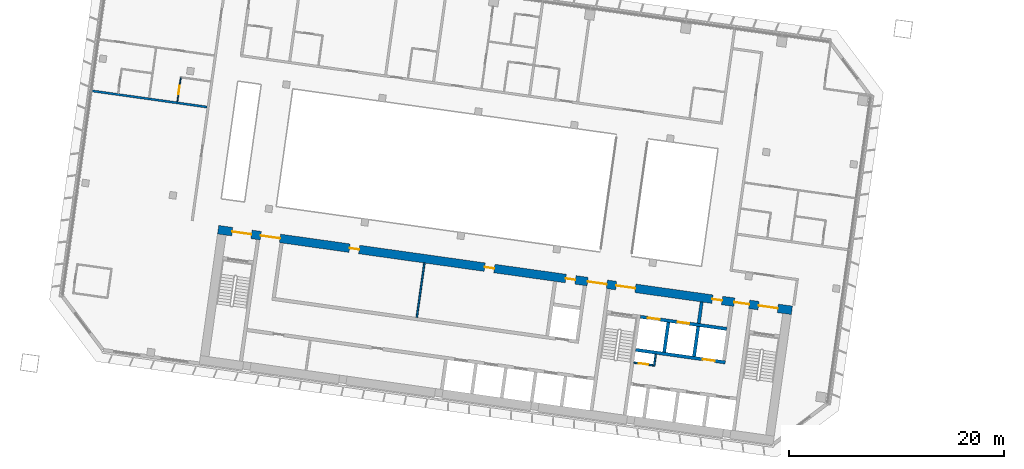
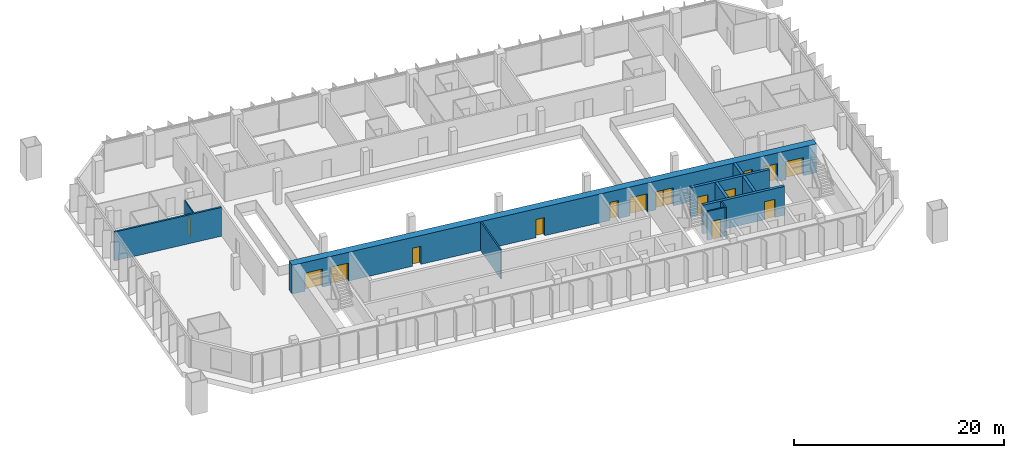
# One storey, part 15 of 25: 15 doors, 11 walls, 15 openings.
"""IFC4 building model written with IfcOpenShell, lengths in metres."""

from ifc_helpers import new_model, si_unit, direction, frame, frame_2d, origin, place, context, subcontext, project, spatial, rectangle, extrude, material, layer, layer_set, type_object, element, fill, save


model = new_model("IFC4")

# Units and contexts
model_context = context("Model", 3, precision=1e-05, world=origin(), true_north=direction((0.0, 1.0)))
body_context = subcontext(model_context, "Body", "Model", "MODEL_VIEW")
ifc_project = project(units=[si_unit("LENGTHUNIT", "METRE"), si_unit("AREAUNIT", "SQUARE_METRE"), si_unit("VOLUMEUNIT", "CUBIC_METRE"), si_unit("PLANEANGLEUNIT", "RADIAN"), si_unit("MASSUNIT", "GRAM", prefix="KILO")], contexts=[model_context])

# Site, building, storey
site_placement = place(None, origin())
site = spatial("IfcSite", under=ifc_project, at=site_placement, CompositionType="ELEMENT")
building_placement = place(site_placement, origin())
building = spatial("IfcBuilding", under=site, at=building_placement, Name="Mirante Cascada Hotel Towers", CompositionType="ELEMENT")
storey_placement = place(building_placement, frame((0.0, 0.0, 129.1)))
storey = spatial("IfcBuildingStorey", under=building, at=storey_placement, Name="L29", CompositionType="ELEMENT", Elevation=129.1)

# Walls
ifc_material_1 = material(Name="Fire-rated plasterboard on metal studs")
ifc_layer_1 = layer(ifc_material_1, 0.2)
ifc_layer_set_1 = layer_set([ifc_layer_1], Name="Compartment wall 200 EI 120")
wall_type_1 = type_object("IfcWallType", Name="Compartment wall 200 EI 120", PredefinedType="PARTITIONING", material=ifc_layer_set_1)
wall_1_placement = place(storey_placement, frame((-89.7337, 11.2758, 0.0), z_axis=(0.0, 0.0, 1.0), x_axis=(-0.990268, 0.1391733, 0.0)))
element("IfcWall", 1, at=wall_1_placement, inside=storey, type_object=wall_type_1, Name="Wall 1-L29-08", PredefinedType="PARTITIONING", context=body_context, shape_type="SweptSolid", body=[
    extrude(rectangle(XDim=11.0, YDim=0.2, at=frame_2d((5.5, 0.0))), origin(), (0.0, 0.0, 1.0), 3.35),
])
ifc_material_2 = material(Name="Masonry block", Category="masonry")
ifc_layer_2 = layer(ifc_material_2, 0.15)
ifc_layer_set_2 = layer_set([ifc_layer_2], Name="Core room partition 150 block EI 30")
wall_type_2 = type_object("IfcWallType", Name="Core room partition 150 block EI 30", PredefinedType="PARTITIONING", material=ifc_layer_set_2)
wall_2_placement = place(storey_placement, frame((-48.2295, -12.793, 0.0), z_axis=(0.0, 0.0, 1.0), x_axis=(0.1391935, 0.9902652, 0.0)))
element("IfcWall", 2, at=wall_2_placement, inside=storey, type_object=wall_type_2, Name="Core wall partition T1 L29 2", PredefinedType="PARTITIONING", context=body_context, shape_type="SweptSolid", body=[
    extrude(rectangle(XDim=1.1251, YDim=0.15, at=frame_2d((0.5626, 0.0))), origin(), (0.0, 0.0, 1.0), 3.35),
])

# Wall, opening, door
wall_3_placement = place(storey_placement, frame((-48.2933, -12.7083, 0.0), z_axis=(0.0, 0.0, 1.0), x_axis=(-0.990268, 0.1391734, 0.0)))
wall_3 = element("IfcWall", 3, at=wall_3_placement, inside=storey, type_object=wall_type_2, Name="Core wall partition T1 L29 3", PredefinedType="PARTITIONING", context=body_context, shape_type="SweptSolid", body=[
    extrude(rectangle(XDim=1.8251, YDim=0.15, at=frame_2d((0.9126, 0.0))), origin(), (0.0, 0.0, 1.0), 3.35),
])
opening_1_placement = place(wall_3_placement, frame((0.4625, 0.0, 0.0)))
opening_1 = element("IfcOpeningElement", 4, at=opening_1_placement, cuts=wall_3, Name="Opening D1-29-C23", PredefinedType="OPENING", context=body_context, shape_type="SweptSolid", body=[
    extrude(rectangle(XDim=0.9, YDim=2.1, at=frame_2d((0.45, 1.05))), frame((0.0, 0.075, 0.0), z_axis=(0.0, -1.0, 0.0), x_axis=(1.0, 0.0, 0.0)), (0.0, 0.0, 1.0), 0.15),
])
ifc_material_3 = material(Name="Hollow metal fire door leaf")
door_type_1 = type_object("IfcDoorType", Name="Fire door 900x2100 FD60", OperationType="NOTDEFINED", PredefinedType="DOOR", material=ifc_material_3)
door_1_placement = place(opening_1_placement, origin())
door_1 = element("IfcDoor", 5, at=door_1_placement, inside=storey, type_object=door_type_1, Name="Riser door T1 L29 23", OperationType="SINGLE_SWING_LEFT", OverallHeight=2.1, OverallWidth=0.9, PredefinedType="DOOR", context=body_context, shape_type="SweptSolid", body=[
    extrude(rectangle(XDim=0.9, YDim=2.1, at=frame_2d((0.45, 1.05))), frame((0.0, 0.025, 0.0), z_axis=(0.0, -1.0, 0.0), x_axis=(1.0, 0.0, 0.0)), (0.0, 0.0, 1.0), 0.05),
])
fill(opening_1, door_1)

# Walls
wall_4_placement = place(storey_placement, frame((-70.2627, -8.2574, 0.0), z_axis=(0.0, 0.0, 1.0), x_axis=(0.1391755, 0.9902677, 0.0)))
element("IfcWall", 6, at=wall_4_placement, inside=storey, type_object=wall_type_2, Name="Core wall partition T1 L29 5", PredefinedType="PARTITIONING", context=body_context, shape_type="SweptSolid", body=[
    extrude(rectangle(XDim=5.1, YDim=0.15, at=frame_2d((2.55, 0.0))), origin(), (0.0, 0.0, 1.0), 3.35),
])
ifc_material_4 = material(Name="Masonry block", Category="masonry")
ifc_layer_3 = layer(ifc_material_4, 0.3)
ifc_layer_set_3 = layer_set([ifc_layer_3], Name="Core wall 300 block EI 120")
wall_type_3 = type_object("IfcWallType", Name="Core wall 300 block EI 120", PredefinedType="PARTITIONING", material=ifc_layer_set_3)
wall_5_placement = place(storey_placement, frame((-44.0843, -8.8061, 0.0), z_axis=(0.0, 0.0, 1.0), x_axis=(0.1391951, 0.990265, 0.0)))
element("IfcWall", 7, at=wall_5_placement, inside=storey, type_object=wall_type_3, Name="Core wall partition T1 L29 1", PredefinedType="PARTITIONING", context=body_context, shape_type="SweptSolid", body=[
    extrude(rectangle(XDim=2.0001, YDim=0.3, at=frame_2d((1.0001, 0.0))), origin(), (0.0, 0.0, 1.0), 3.35),
])

# Wall, opening, door
ifc_material_5 = material(Name="Plasterboard on metal studs")
ifc_layer_4 = layer(ifc_material_5, 0.1)
ifc_layer_set_4 = layer_set([ifc_layer_4], Name="Partition 100")
wall_type_4 = type_object("IfcWallType", Name="Partition 100", PredefinedType="PARTITIONING", material=ifc_layer_set_4)
wall_6_placement = place(storey_placement, frame((-92.1794, 13.9926, 0.0), z_axis=(0.0, 0.0, 1.0), x_axis=(-0.1391561, -0.9902705, 0.0)))
wall_6 = element("IfcWall", 8, at=wall_6_placement, inside=storey, type_object=wall_type_4, Name="Wall 1-L29-45", PredefinedType="PARTITIONING", context=body_context, shape_type="SweptSolid", body=[
    extrude(rectangle(XDim=2.25, YDim=0.1, at=frame_2d((1.125, 0.0))), origin(), (0.0, 0.0, 1.0), 3.35),
])
opening_2_placement = place(wall_6_placement, frame((0.75, 0.0, 0.0)))
opening_2 = element("IfcOpeningElement", 9, at=opening_2_placement, cuts=wall_6, Name="Opening D1-L29-27", PredefinedType="OPENING", context=body_context, shape_type="SweptSolid", body=[
    extrude(rectangle(XDim=0.8, YDim=2.1, at=frame_2d((0.4, 1.05))), frame((0.0, 0.05, 0.0), z_axis=(0.0, -1.0, 0.0), x_axis=(1.0, 0.0, 0.0)), (0.0, 0.0, 1.0), 0.1),
])
ifc_material_6 = material(Name="Timber door leaf", Category="wood")
door_type_2 = type_object("IfcDoorType", Name="Bathroom door DG4 800x2100", OperationType="SINGLE_SWING_LEFT", PredefinedType="DOOR", material=ifc_material_6)
door_2_placement = place(opening_2_placement, origin())
door_2 = element("IfcDoor", 10, at=door_2_placement, inside=storey, type_object=door_type_2, Name="Door D1-L29-27", OperationType="SINGLE_SWING_LEFT", OverallHeight=2.1, OverallWidth=0.8, PredefinedType="DOOR", context=body_context, shape_type="SweptSolid", body=[
    extrude(rectangle(XDim=0.8, YDim=2.1, at=frame_2d((0.4, 1.05))), frame((0.0, 0.025, 0.0), z_axis=(0.0, -1.0, 0.0), x_axis=(1.0, 0.0, 0.0)), (0.0, 0.0, 1.0), 0.05),
])
fill(opening_2, door_2)

ifc_material_7 = material(Name="Concrete C50/60", Category="concrete")
ifc_layer_5 = layer(ifc_material_7, 0.3)
ifc_layer_set_5 = layer_set([ifc_layer_5], Name="RC core wall 300 C50/60")
wall_type_5 = type_object("IfcWallType", Name="RC core wall 300 C50/60", PredefinedType="SHEAR", material=ifc_layer_set_5)
wall_7_placement = place(storey_placement, frame((-41.6153, -12.435, 0.0), z_axis=(0.0, 0.0, 1.0), x_axis=(-0.9902691, 0.139166, 0.0)))
wall_7 = element("IfcWall", 11, at=wall_7_placement, inside=storey, type_object=wall_type_5, Name="Core wall T1:L29:13", PredefinedType="SHEAR", context=body_context, shape_type="SweptSolid", body=[
    extrude(rectangle(XDim=8.4, YDim=0.3, at=frame_2d((4.2, 0.0))), origin(), (0.0, 0.0, 1.0), 3.35),
])
opening_3_placement = place(wall_7_placement, frame((1.0, 0.0, 0.0)))
opening_3 = element("IfcOpeningElement", 12, at=opening_3_placement, cuts=wall_7, Name="Opening LD", PredefinedType="OPENING", context=body_context, shape_type="SweptSolid", body=[
    extrude(rectangle(XDim=1.1, YDim=2.1, at=frame_2d((0.55, 1.05))), frame((0.0, 0.15, 0.0), z_axis=(0.0, -1.0, 0.0), x_axis=(1.0, 0.0, 0.0)), (0.0, 0.0, 1.0), 0.3),
])
ifc_material_8 = material(Name="Stainless steel", Category="steel")
door_type_3 = type_object("IfcDoorType", Name="Lift landing door 1100x2100 EI 120", OperationType="DOUBLE_DOOR_SLIDING", PredefinedType="DOOR", material=ifc_material_8)
door_3_placement = place(opening_3_placement, origin())
door_3 = element("IfcDoor", 13, at=door_3_placement, inside=storey, type_object=door_type_3, Name="Lift landing door HR1-4 L29", OperationType="DOUBLE_DOOR_SLIDING", OverallHeight=2.1, OverallWidth=1.1, PredefinedType="DOOR", context=body_context, shape_type="SweptSolid", body=[
    extrude(rectangle(XDim=0.545, YDim=2.1, at=frame_2d((0.2725, 1.05))), frame((0.0, 0.025, 0.0), z_axis=(0.0, -1.0, 0.0), x_axis=(1.0, 0.0, 0.0)), (0.0, 0.0, 1.0), 0.05),
    extrude(rectangle(XDim=0.545, YDim=2.1, at=frame_2d((0.8275, 1.05))), frame((0.0, 0.025, 0.0), z_axis=(0.0, -1.0, 0.0), x_axis=(1.0, 0.0, 0.0)), (0.0, 0.0, 1.0), 0.05),
])
fill(opening_3, door_3)

# Wall, openings, doors
wall_8_placement = place(storey_placement, frame((-41.481, -9.3234, 0.0), z_axis=(0.0, 0.0, 1.0), x_axis=(-0.9902679, 0.1391741, 0.0)))
wall_8 = element("IfcWall", 14, at=wall_8_placement, inside=storey, type_object=wall_type_5, Name="Core wall T1:L29:14", PredefinedType="SHEAR", context=body_context, shape_type="SweptSolid", body=[
    extrude(rectangle(XDim=8.0999, YDim=0.3, at=frame_2d((4.05, 0.0))), origin(), (0.0, 0.0, 1.0), 3.35),
])
opening_4_placement = place(wall_8_placement, frame((3.5, 0.0, 0.0)))
opening_4 = element("IfcOpeningElement", 15, at=opening_4_placement, cuts=wall_8, Name="Opening LD", PredefinedType="OPENING", context=body_context, shape_type="SweptSolid", body=[
    extrude(rectangle(XDim=1.1, YDim=2.1, at=frame_2d((0.55, 1.05))), frame((0.0, 0.15, 0.0), z_axis=(0.0, -1.0, 0.0), x_axis=(1.0, 0.0, 0.0)), (0.0, 0.0, 1.0), 0.3),
])
opening_5_placement = place(wall_8_placement, frame((6.3, 0.0, 0.0)))
opening_5 = element("IfcOpeningElement", 16, at=opening_5_placement, cuts=wall_8, Name="Opening LD", PredefinedType="OPENING", context=body_context, shape_type="SweptSolid", body=[
    extrude(rectangle(XDim=1.1, YDim=2.1, at=frame_2d((0.55, 1.05))), frame((0.0, 0.15, 0.0), z_axis=(0.0, -1.0, 0.0), x_axis=(1.0, 0.0, 0.0)), (0.0, 0.0, 1.0), 0.3),
])
door_4_placement = place(opening_4_placement, origin())
door_4 = element("IfcDoor", 17, at=door_4_placement, inside=storey, type_object=door_type_3, Name="Lift landing door FF1 L29", OperationType="DOUBLE_DOOR_SLIDING", OverallHeight=2.1, OverallWidth=1.1, PredefinedType="DOOR", context=body_context, shape_type="SweptSolid", body=[
    extrude(rectangle(XDim=0.545, YDim=2.1, at=frame_2d((0.2725, 1.05))), frame((0.0, 0.025, 0.0), z_axis=(0.0, -1.0, 0.0), x_axis=(1.0, 0.0, 0.0)), (0.0, 0.0, 1.0), 0.05),
    extrude(rectangle(XDim=0.545, YDim=2.1, at=frame_2d((0.8275, 1.05))), frame((0.0, 0.025, 0.0), z_axis=(0.0, -1.0, 0.0), x_axis=(1.0, 0.0, 0.0)), (0.0, 0.0, 1.0), 0.05),
])
fill(opening_4, door_4)
door_5_placement = place(opening_5_placement, origin())
door_5 = element("IfcDoor", 18, at=door_5_placement, inside=storey, type_object=door_type_3, Name="Lift landing door FF2 L29", OperationType="DOUBLE_DOOR_SLIDING", OverallHeight=2.1, OverallWidth=1.1, PredefinedType="DOOR", context=body_context, shape_type="SweptSolid", body=[
    extrude(rectangle(XDim=0.545, YDim=2.1, at=frame_2d((0.2725, 1.05))), frame((0.0, 0.025, 0.0), z_axis=(0.0, -1.0, 0.0), x_axis=(1.0, 0.0, 0.0)), (0.0, 0.0, 1.0), 0.05),
    extrude(rectangle(XDim=0.545, YDim=2.1, at=frame_2d((0.8275, 1.05))), frame((0.0, 0.025, 0.0), z_axis=(0.0, -1.0, 0.0), x_axis=(1.0, 0.0, 0.0)), (0.0, 0.0, 1.0), 0.05),
])
fill(opening_5, door_5)

# Walls
for number, where, z_axis, x_axis, name in (
    (19, (-44.5157, -11.8759, 0.0), (0.0, 0.0, 1.0), (0.139181, 0.990267, 0.0), "Core wall T1:L29:18"),
    (20, (-47.2885, -11.4862, 0.0), (0.0, 0.0, 1.0), (0.139181, 0.990267, 0.0), "Core wall T1:L29:19"),
):
    element("IfcWall", number, at=place(storey_placement, frame(where, z_axis=z_axis, x_axis=x_axis)), inside=storey, type_object=wall_type_5, Name=name, PredefinedType="SHEAR", context=body_context, shape_type="SweptSolid", body=[
        extrude(rectangle(XDim=2.8, YDim=0.3, at=frame_2d((1.4, 0.0))), origin(), (0.0, 0.0, 1.0), 3.35),
    ])

# Wall, openings, doors
ifc_material_9 = material(Name="Concrete C50/60", Category="concrete")
ifc_layer_6 = layer(ifc_material_9, 0.8)
ifc_layer_set_6 = layer_set([ifc_layer_6], Name="RC core wall 800 C50/60")
wall_type_6 = type_object("IfcWallType", Name="RC core wall 800 C50/60", PredefinedType="SHEAR", material=ifc_layer_set_6)
wall_9_placement = place(storey_placement, frame((-35.432, -7.5985, 0.0), z_axis=(0.0, 0.0, 1.0), x_axis=(-0.9902681, 0.1391729, 0.0)))
wall_9 = element("IfcWall", 21, at=wall_9_placement, inside=storey, type_object=wall_type_6, Name="Core wall T1:L29:2", PredefinedType="SHEAR", context=body_context, shape_type="SweptSolid", body=[
    extrude(rectangle(XDim=53.8, YDim=0.8, at=frame_2d((26.9, 0.0))), origin(), (0.0, 0.0, 1.0), 3.35),
])
opening_6_placement = place(wall_9_placement, frame((1.325, 0.0, 0.0)))
opening_6 = element("IfcOpeningElement", 22, at=opening_6_placement, cuts=wall_9, Name="Opening D1-29-C14", PredefinedType="OPENING", context=body_context, shape_type="SweptSolid", body=[
    extrude(rectangle(XDim=1.8, YDim=2.1, at=frame_2d((0.9, 1.05))), frame((0.0, 0.4, 0.0), z_axis=(0.0, -1.0, 0.0), x_axis=(1.0, 0.0, 0.0)), (0.0, 0.0, 1.0), 0.8),
])
opening_7_placement = place(wall_9_placement, frame((14.675, 0.0, 0.0)))
opening_7 = element("IfcOpeningElement", 23, at=opening_7_placement, cuts=wall_9, Name="Opening D1-29-C16", PredefinedType="OPENING", context=body_context, shape_type="SweptSolid", body=[
    extrude(rectangle(XDim=1.8, YDim=2.1, at=frame_2d((0.9, 1.05))), frame((0.0, 0.4, 0.0), z_axis=(0.0, -1.0, 0.0), x_axis=(1.0, 0.0, 0.0)), (0.0, 0.0, 1.0), 0.8),
])
opening_8_placement = place(wall_9_placement, frame((50.675, 0.0, 0.0)))
opening_8 = element("IfcOpeningElement", 24, at=opening_8_placement, cuts=wall_9, Name="Opening D1-29-C18", PredefinedType="OPENING", context=body_context, shape_type="SweptSolid", body=[
    extrude(rectangle(XDim=1.8, YDim=2.1, at=frame_2d((0.9, 1.05))), frame((0.0, 0.4, 0.0), z_axis=(0.0, -1.0, 0.0), x_axis=(1.0, 0.0, 0.0)), (0.0, 0.0, 1.0), 0.8),
])
opening_9_placement = place(wall_9_placement, frame((4.0, 0.0, 0.0)))
opening_9 = element("IfcOpeningElement", 25, at=opening_9_placement, cuts=wall_9, Name="Opening D1-29-C19", PredefinedType="OPENING", context=body_context, shape_type="SweptSolid", body=[
    extrude(rectangle(XDim=1.4, YDim=2.1, at=frame_2d((0.7, 1.05))), frame((0.0, 0.4, 0.0), z_axis=(0.0, -1.0, 0.0), x_axis=(1.0, 0.0, 0.0)), (0.0, 0.0, 1.0), 0.8),
])
opening_10_placement = place(wall_9_placement, frame((17.35, 0.0, 0.0)))
opening_10 = element("IfcOpeningElement", 26, at=opening_10_placement, cuts=wall_9, Name="Opening D1-29-C20", PredefinedType="OPENING", context=body_context, shape_type="SweptSolid", body=[
    extrude(rectangle(XDim=1.8, YDim=2.1, at=frame_2d((0.9, 1.05))), frame((0.0, 0.4, 0.0), z_axis=(0.0, -1.0, 0.0), x_axis=(1.0, 0.0, 0.0)), (0.0, 0.0, 1.0), 0.8),
])
opening_11_placement = place(wall_9_placement, frame((48.0, 0.0, 0.0)))
opening_11 = element("IfcOpeningElement", 27, at=opening_11_placement, cuts=wall_9, Name="Opening D1-29-C21", PredefinedType="OPENING", context=body_context, shape_type="SweptSolid", body=[
    extrude(rectangle(XDim=1.8, YDim=2.1, at=frame_2d((0.9, 1.05))), frame((0.0, 0.4, 0.0), z_axis=(0.0, -1.0, 0.0), x_axis=(1.0, 0.0, 0.0)), (0.0, 0.0, 1.0), 0.8),
])
opening_12_placement = place(wall_9_placement, frame((6.55, 0.0, 0.0)))
opening_12 = element("IfcOpeningElement", 28, at=opening_12_placement, cuts=wall_9, Name="Opening D1-29-C24", PredefinedType="OPENING", context=body_context, shape_type="SweptSolid", body=[
    extrude(rectangle(XDim=0.9, YDim=2.1, at=frame_2d((0.45, 1.05))), frame((0.0, 0.4, 0.0), z_axis=(0.0, -1.0, 0.0), x_axis=(1.0, 0.0, 0.0)), (0.0, 0.0, 1.0), 0.8),
])
opening_13_placement = place(wall_9_placement, frame((20.3, 0.0, 0.0)))
opening_13 = element("IfcOpeningElement", 29, at=opening_13_placement, cuts=wall_9, Name="Opening D1-29-C27", PredefinedType="OPENING", context=body_context, shape_type="SweptSolid", body=[
    extrude(rectangle(XDim=0.9, YDim=2.1, at=frame_2d((0.45, 1.05))), frame((0.0, 0.4, 0.0), z_axis=(0.0, -1.0, 0.0), x_axis=(1.0, 0.0, 0.0)), (0.0, 0.0, 1.0), 0.8),
])
opening_14_placement = place(wall_9_placement, frame((27.9, 0.0, 0.0)))
opening_14 = element("IfcOpeningElement", 30, at=opening_14_placement, cuts=wall_9, Name="Opening D1-29-C28", PredefinedType="OPENING", context=body_context, shape_type="SweptSolid", body=[
    extrude(rectangle(XDim=0.9, YDim=2.1, at=frame_2d((0.45, 1.05))), frame((0.0, 0.4, 0.0), z_axis=(0.0, -1.0, 0.0), x_axis=(1.0, 0.0, 0.0)), (0.0, 0.0, 1.0), 0.8),
])
opening_15_placement = place(wall_9_placement, frame((40.575, 0.0, 0.0)))
opening_15 = element("IfcOpeningElement", 31, at=opening_15_placement, cuts=wall_9, Name="Opening D1-29-C29", PredefinedType="OPENING", context=body_context, shape_type="SweptSolid", body=[
    extrude(rectangle(XDim=0.9, YDim=2.1, at=frame_2d((0.45, 1.05))), frame((0.0, 0.4, 0.0), z_axis=(0.0, -1.0, 0.0), x_axis=(1.0, 0.0, 0.0)), (0.0, 0.0, 1.0), 0.8),
])
ifc_material_10 = material(Name="Hollow metal fire door leaf")
door_type_4 = type_object("IfcDoorType", Name="Double fire door 1400x2100 FD60", OperationType="DOUBLE_DOOR_SINGLE_SWING", PredefinedType="DOOR", material=ifc_material_10)
door_6_placement = place(opening_9_placement, frame((1.4, 0.0, 0.0), z_axis=(0.0, 0.0, 1.0), x_axis=(-1.0, 0.0, 0.0)))
door_6 = element("IfcDoor", 32, at=door_6_placement, inside=storey, type_object=door_type_4, Name="Exit door to gallery T1 L29 19", OperationType="DOUBLE_DOOR_SINGLE_SWING", OverallHeight=2.1, OverallWidth=1.4, PredefinedType="DOOR", context=body_context, shape_type="SweptSolid", body=[
    extrude(rectangle(XDim=0.695, YDim=2.1, at=frame_2d((0.3475, 1.05))), frame((0.0, 0.025, 0.0), z_axis=(0.0, -1.0, 0.0), x_axis=(1.0, 0.0, 0.0)), (0.0, 0.0, 1.0), 0.05),
    extrude(rectangle(XDim=0.695, YDim=2.1, at=frame_2d((1.0525, 1.05))), frame((0.0, 0.025, 0.0), z_axis=(0.0, -1.0, 0.0), x_axis=(1.0, 0.0, 0.0)), (0.0, 0.0, 1.0), 0.05),
])
fill(opening_9, door_6)
ifc_material_11 = material(Name="Hollow metal fire door leaf")
door_type_5 = type_object("IfcDoorType", Name="Double fire door 1800x2100 FD60", OperationType="DOUBLE_DOOR_SINGLE_SWING", PredefinedType="DOOR", material=ifc_material_11)
door_7_placement = place(opening_6_placement, origin())
door_7 = element("IfcDoor", 33, at=door_7_placement, inside=storey, type_object=door_type_5, Name="Exit door to gallery T1 L29 14", OperationType="DOUBLE_DOOR_SINGLE_SWING", OverallHeight=2.1, OverallWidth=1.8, PredefinedType="DOOR", context=body_context, shape_type="SweptSolid", body=[
    extrude(rectangle(XDim=0.895, YDim=2.1, at=frame_2d((0.4475, 1.05))), frame((0.0, 0.025, 0.0), z_axis=(0.0, -1.0, 0.0), x_axis=(1.0, 0.0, 0.0)), (0.0, 0.0, 1.0), 0.05),
    extrude(rectangle(XDim=0.895, YDim=2.1, at=frame_2d((1.3525, 1.05))), frame((0.0, 0.025, 0.0), z_axis=(0.0, -1.0, 0.0), x_axis=(1.0, 0.0, 0.0)), (0.0, 0.0, 1.0), 0.05),
])
fill(opening_6, door_7)
door_8_placement = place(opening_7_placement, origin())
door_8 = element("IfcDoor", 34, at=door_8_placement, inside=storey, type_object=door_type_5, Name="Exit door to gallery T1 L29 16", OperationType="DOUBLE_DOOR_SINGLE_SWING", OverallHeight=2.1, OverallWidth=1.8, PredefinedType="DOOR", context=body_context, shape_type="SweptSolid", body=[
    extrude(rectangle(XDim=0.895, YDim=2.1, at=frame_2d((0.4475, 1.05))), frame((0.0, 0.025, 0.0), z_axis=(0.0, -1.0, 0.0), x_axis=(1.0, 0.0, 0.0)), (0.0, 0.0, 1.0), 0.05),
    extrude(rectangle(XDim=0.895, YDim=2.1, at=frame_2d((1.3525, 1.05))), frame((0.0, 0.025, 0.0), z_axis=(0.0, -1.0, 0.0), x_axis=(1.0, 0.0, 0.0)), (0.0, 0.0, 1.0), 0.05),
])
fill(opening_7, door_8)
door_9_placement = place(opening_8_placement, origin())
door_9 = element("IfcDoor", 35, at=door_9_placement, inside=storey, type_object=door_type_5, Name="Exit door to gallery T1 L29 18", OperationType="DOUBLE_DOOR_SINGLE_SWING", OverallHeight=2.1, OverallWidth=1.8, PredefinedType="DOOR", context=body_context, shape_type="SweptSolid", body=[
    extrude(rectangle(XDim=0.895, YDim=2.1, at=frame_2d((0.4475, 1.05))), frame((0.0, 0.025, 0.0), z_axis=(0.0, -1.0, 0.0), x_axis=(1.0, 0.0, 0.0)), (0.0, 0.0, 1.0), 0.05),
    extrude(rectangle(XDim=0.895, YDim=2.1, at=frame_2d((1.3525, 1.05))), frame((0.0, 0.025, 0.0), z_axis=(0.0, -1.0, 0.0), x_axis=(1.0, 0.0, 0.0)), (0.0, 0.0, 1.0), 0.05),
])
fill(opening_8, door_9)
door_10_placement = place(opening_10_placement, frame((1.8, 0.0, 0.0), z_axis=(0.0, 0.0, 1.0), x_axis=(-1.0, 0.0, 0.0)))
door_10 = element("IfcDoor", 36, at=door_10_placement, inside=storey, type_object=door_type_5, Name="Exit door to gallery T1 L29 20", OperationType="DOUBLE_DOOR_SINGLE_SWING", OverallHeight=2.1, OverallWidth=1.8, PredefinedType="DOOR", context=body_context, shape_type="SweptSolid", body=[
    extrude(rectangle(XDim=0.895, YDim=2.1, at=frame_2d((0.4475, 1.05))), frame((0.0, 0.025, 0.0), z_axis=(0.0, -1.0, 0.0), x_axis=(1.0, 0.0, 0.0)), (0.0, 0.0, 1.0), 0.05),
    extrude(rectangle(XDim=0.895, YDim=2.1, at=frame_2d((1.3525, 1.05))), frame((0.0, 0.025, 0.0), z_axis=(0.0, -1.0, 0.0), x_axis=(1.0, 0.0, 0.0)), (0.0, 0.0, 1.0), 0.05),
])
fill(opening_10, door_10)
door_11_placement = place(opening_11_placement, frame((1.8, 0.0, 0.0), z_axis=(0.0, 0.0, 1.0), x_axis=(-1.0, 0.0, 0.0)))
door_11 = element("IfcDoor", 37, at=door_11_placement, inside=storey, type_object=door_type_5, Name="Exit door to gallery T1 L29 21", OperationType="DOUBLE_DOOR_SINGLE_SWING", OverallHeight=2.1, OverallWidth=1.8, PredefinedType="DOOR", context=body_context, shape_type="SweptSolid", body=[
    extrude(rectangle(XDim=0.895, YDim=2.1, at=frame_2d((0.4475, 1.05))), frame((0.0, 0.025, 0.0), z_axis=(0.0, -1.0, 0.0), x_axis=(1.0, 0.0, 0.0)), (0.0, 0.0, 1.0), 0.05),
    extrude(rectangle(XDim=0.895, YDim=2.1, at=frame_2d((1.3525, 1.05))), frame((0.0, 0.025, 0.0), z_axis=(0.0, -1.0, 0.0), x_axis=(1.0, 0.0, 0.0)), (0.0, 0.0, 1.0), 0.05),
])
fill(opening_11, door_11)
door_12_placement = place(opening_12_placement, origin())
door_12 = element("IfcDoor", 38, at=door_12_placement, inside=storey, type_object=door_type_1, Name="Room door T1 L29 24", OperationType="SINGLE_SWING_RIGHT", OverallHeight=2.1, OverallWidth=0.9, PredefinedType="DOOR", context=body_context, shape_type="SweptSolid", body=[
    extrude(rectangle(XDim=0.9, YDim=2.1, at=frame_2d((0.45, 1.05))), frame((0.0, 0.025, 0.0), z_axis=(0.0, -1.0, 0.0), x_axis=(1.0, 0.0, 0.0)), (0.0, 0.0, 1.0), 0.05),
])
fill(opening_12, door_12)
door_13_placement = place(opening_13_placement, origin())
door_13 = element("IfcDoor", 39, at=door_13_placement, inside=storey, type_object=door_type_1, Name="Room door T1 L29 27", OperationType="SINGLE_SWING_RIGHT", OverallHeight=2.1, OverallWidth=0.9, PredefinedType="DOOR", context=body_context, shape_type="SweptSolid", body=[
    extrude(rectangle(XDim=0.9, YDim=2.1, at=frame_2d((0.45, 1.05))), frame((0.0, 0.025, 0.0), z_axis=(0.0, -1.0, 0.0), x_axis=(1.0, 0.0, 0.0)), (0.0, 0.0, 1.0), 0.05),
])
fill(opening_13, door_13)
door_14_placement = place(opening_14_placement, origin())
door_14 = element("IfcDoor", 40, at=door_14_placement, inside=storey, type_object=door_type_1, Name="Room door T1 L29 28", OperationType="SINGLE_SWING_LEFT", OverallHeight=2.1, OverallWidth=0.9, PredefinedType="DOOR", context=body_context, shape_type="SweptSolid", body=[
    extrude(rectangle(XDim=0.9, YDim=2.1, at=frame_2d((0.45, 1.05))), frame((0.0, 0.025, 0.0), z_axis=(0.0, -1.0, 0.0), x_axis=(1.0, 0.0, 0.0)), (0.0, 0.0, 1.0), 0.05),
])
fill(opening_14, door_14)
door_15_placement = place(opening_15_placement, origin())
door_15 = element("IfcDoor", 41, at=door_15_placement, inside=storey, type_object=door_type_1, Name="Room door T1 L29 29", OperationType="SINGLE_SWING_LEFT", OverallHeight=2.1, OverallWidth=0.9, PredefinedType="DOOR", context=body_context, shape_type="SweptSolid", body=[
    extrude(rectangle(XDim=0.9, YDim=2.1, at=frame_2d((0.45, 1.05))), frame((0.0, 0.025, 0.0), z_axis=(0.0, -1.0, 0.0), x_axis=(1.0, 0.0, 0.0)), (0.0, 0.0, 1.0), 0.05),
])
fill(opening_15, door_15)

save(model, "model.ifc")
